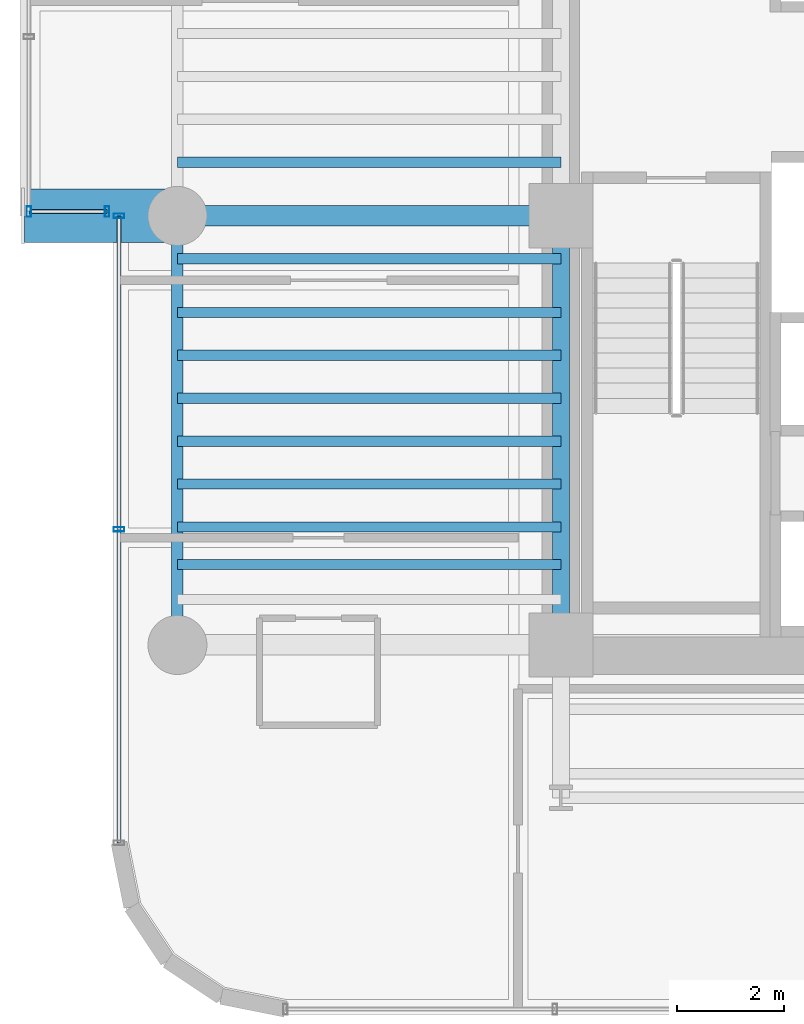
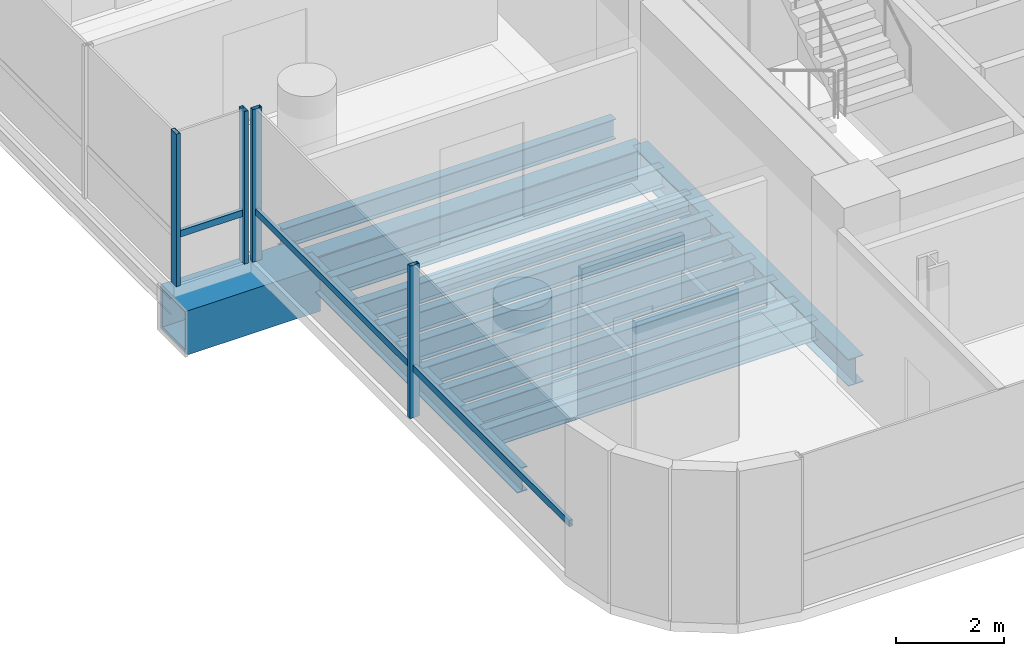
# One storey, part 4 of 35: 13 beams, 6 members, 2 elements without a shape of their own.
"""IFC4 building model written with IfcOpenShell, lengths in metres."""

import ifcopenshell
import ifcopenshell.guid

model = None  # the IFC model being written
_history = None  # IfcOwnerHistory: only IFC2X3 demands one
_inside = {}  # id of a spatial element -> (the spatial element, [elements in it])
_under = {}  # id of a project, library or spatial element -> (it, [spatial elements below it])
_declared = {}  # id of a project -> (the project, [libraries it declares])
_typed = {}  # id of a type object -> (the type object, [elements of that type])
_made_of = {}  # id of a material, layer set ... -> (it, [elements and type objects made of it])


def new_model(schema):
    """Start an empty IFC model of exactly this schema.

    Asked for "IFC4X3", IfcOpenShell would pick the latest addendum, in which some entities
    have other attributes; the version numbers below select the first issue.
    IFC2X3 requires an IfcOwnerHistory on every rooted entity: one is made here for all.
    """
    global model, _history
    if schema == "IFC4X3":
        model = ifcopenshell.file(schema_version=(4, 3, 0, 0))
    else:
        model = ifcopenshell.file(schema=schema)
    _inside.clear()
    _under.clear()
    _declared.clear()
    _typed.clear()
    _made_of.clear()
    _history = None
    if model.schema == "IFC2X3":
        org = make("IfcOrganization", Name="unknown")
        user = make(
            "IfcPersonAndOrganization",
            ThePerson=make("IfcPerson", FamilyName="unknown"),
            TheOrganization=org,
        )
        app = make(
            "IfcApplication",
            ApplicationDeveloper=org,
            Version="unknown",
            ApplicationFullName="unknown",
            ApplicationIdentifier="unknown",
        )
        _history = make(
            "IfcOwnerHistory",
            OwningUser=user,
            OwningApplication=app,
            ChangeAction="ADDED",
            CreationDate=0,
        )
    return model


def make(cls, **values):
    """One entity of the class cls with the attributes given. An attribute that is None is left unset."""
    return model.create_entity(
        cls, **{name: value for name, value in values.items() if value is not None}
    )


def rooted(cls, **values):
    """An entity with a GlobalId (a new one), such as an element, a storey or a relation."""
    return make(cls, GlobalId=ifcopenshell.guid.new(), OwnerHistory=_history, **values)


def si_unit(unit_type, name, prefix=None):
    """IfcSIUnit, for example si_unit("LENGTHUNIT", "METRE", prefix="MILLI")."""
    return make("IfcSIUnit", UnitType=unit_type, Prefix=prefix, Name=name)


def assignment(units):
    """IfcUnitAssignment: the units of a project."""
    return None if units is None else make("IfcUnitAssignment", Units=units)


def point(xyz):
    """IfcCartesianPoint."""
    return None if xyz is None else make("IfcCartesianPoint", Coordinates=xyz)


def direction(xyz):
    """IfcDirection."""
    return None if xyz is None else make("IfcDirection", DirectionRatios=xyz)


def frame(location, z_axis=None, x_axis=None):
    """IfcAxis2Placement3D, a coordinate frame: its origin and axes. An axis left out is left unset."""
    return make(
        "IfcAxis2Placement3D",
        Location=point(location),
        Axis=direction(z_axis),
        RefDirection=direction(x_axis),
    )


def frame_2d(location, x_axis=None):
    """IfcAxis2Placement2D, a coordinate frame in the plane: its origin and x axis."""
    return make(
        "IfcAxis2Placement2D", Location=point(location), RefDirection=direction(x_axis)
    )


def origin():
    """The frame at (0, 0, 0) with its axes left unset."""
    return frame((0.0, 0.0, 0.0))


def origin_2d():
    """The frame at (0, 0) in the plane with its x axis left unset."""
    return frame_2d((0.0, 0.0))


def place(relative_to, where):
    """IfcLocalPlacement: puts the frame where relative to a parent placement (None: the world)."""
    return make(
        "IfcLocalPlacement", PlacementRelTo=relative_to, RelativePlacement=where
    )


def context(
    kind, dimensions, precision=None, world=None, true_north=None, identifier=None
):
    """IfcGeometricRepresentationContext, for example the 3D "Model" context."""
    return make(
        "IfcGeometricRepresentationContext",
        ContextIdentifier=identifier,
        ContextType=kind,
        CoordinateSpaceDimension=dimensions,
        Precision=precision,
        WorldCoordinateSystem=world,
        TrueNorth=true_north,
    )


def subcontext(parent, identifier, kind, view, scale=None):
    """IfcGeometricRepresentationSubContext, for example "Body" below "Model"."""
    return make(
        "IfcGeometricRepresentationSubContext",
        ContextIdentifier=identifier,
        ContextType=kind,
        ParentContext=parent,
        TargetScale=scale,
        TargetView=view,
    )


def project(units=None, contexts=None):
    """IfcProject with its units and contexts."""
    return rooted(
        "IfcProject",
        Name="project",
        RepresentationContexts=contexts,
        UnitsInContext=assignment(units),
    )


def spatial(cls, under=None, at=None, **own):
    """A site, building, storey or space (cls), placed at a placement, below another one or the project."""
    s = rooted(cls, ObjectPlacement=at, **own)
    if under is not None:
        _under.setdefault(under.id(), (under, []))[1].append(s)
    return s


def profile(cls, at=None, kind="AREA", **sizes):
    """A parametric profile (cls). Its sizes go by their IFC names, for example OverallWidth=200.0."""
    return make(cls, ProfileType=kind, Position=at, **sizes)


def hollow_rectangle(**sizes):
    """IfcRectangleHollowProfileDef."""
    return profile("IfcRectangleHollowProfileDef", **sizes)


def i_section(**sizes):
    """IfcIShapeProfileDef."""
    return profile("IfcIShapeProfileDef", **sizes)


def extrude(swept, where, along, depth):
    """IfcExtrudedAreaSolid: the profile swept, set in the frame where, extruded along a direction by depth."""
    return make(
        "IfcExtrudedAreaSolid",
        SweptArea=swept,
        Position=where,
        ExtrudedDirection=direction(along),
        Depth=depth,
    )


def shape(context_of_items, identifier, shape_type, items):
    """IfcShapeRepresentation: the items that make up one representation, for example the "Body"."""
    return make(
        "IfcShapeRepresentation",
        ContextOfItems=context_of_items,
        RepresentationIdentifier=identifier,
        RepresentationType=shape_type,
        Items=items,
    )


def source(mapping_origin, context_of_items, identifier, shape_type, items):
    """IfcRepresentationMap: a shape defined once, which mapped items show again and again."""
    return make(
        "IfcRepresentationMap",
        MappingOrigin=mapping_origin,
        MappedRepresentation=shape(context_of_items, identifier, shape_type, items),
    )


def transform(
    local_origin,
    x_axis=None,
    y_axis=None,
    z_axis=None,
    scale=None,
    scale2=None,
    scale3=None,
    uniform=True,
):
    """IfcCartesianTransformationOperator3D, or its non-uniform kind. x_axis, y_axis, z_axis: its Axis1, 2, 3."""
    if uniform:
        return make(
            "IfcCartesianTransformationOperator3D",
            Axis1=direction(x_axis),
            Axis2=direction(y_axis),
            LocalOrigin=point(local_origin),
            Scale=scale,
            Axis3=direction(z_axis),
        )
    return make(
        "IfcCartesianTransformationOperator3DnonUniform",
        Axis1=direction(x_axis),
        Axis2=direction(y_axis),
        LocalOrigin=point(local_origin),
        Scale=scale,
        Axis3=direction(z_axis),
        Scale2=scale2,
        Scale3=scale3,
    )


def mapped(mapping_source, mapping_target):
    """IfcMappedItem: shows the shape of a source again, moved by a transform."""
    return make(
        "IfcMappedItem", MappingSource=mapping_source, MappingTarget=mapping_target
    )


def material(Name=None, Category=None):
    """IfcMaterial."""
    return make("IfcMaterial", Name=Name, Category=Category)


def material_profile(
    of_material, cross_section, Name=None, Category=None, Priority=None
):
    """IfcMaterialProfile: a cross section and its material."""
    return make(
        "IfcMaterialProfile",
        Name=Name,
        Material=of_material,
        Profile=cross_section,
        Priority=Priority,
        Category=Category,
    )


def profile_set(profiles, Name=None, composite=None):
    """IfcMaterialProfileSet."""
    return make(
        "IfcMaterialProfileSet",
        Name=Name,
        MaterialProfiles=profiles,
        CompositeProfile=composite,
    )


def made_of(thing, what):
    """Note that an element or type object is made of a material, layer set ...; save() writes the relation."""
    if what is not None:
        _made_of.setdefault(what.id(), (what, []))[1].append(thing)
    return thing


def type_object(cls, material=None, **own):
    """A type object (cls), such as IfcWallType, which elements share."""
    return made_of(rooted(cls, **own), material)


def element(
    cls,
    number,
    at=None,
    inside=None,
    cuts=None,
    type_object=None,
    material=None,
    context=None,
    identifier="Body",
    shape_type=None,
    held_by="IfcProductDefinitionShape",
    body=None,
    shapes=None,
    **own,
):
    """One element of the class cls, such as IfcWall. Its Tag is "e" and its number.

    at: its placement. inside: the storey or other place that contains it. cuts: it is an
    opening in that element (IfcRelVoidsElement). A single representation is given by context,
    identifier, shape_type and body (its items); several are given by shapes. held_by: the class
    of the entity that holds the representations. save() writes the other relations.
    """
    e = rooted(cls, Tag="e%d" % number, ObjectPlacement=at, **own)
    if body is not None:
        shapes = [shape(context, identifier, shape_type, body)]
    if shapes is not None:
        e.Representation = make(held_by, Representations=shapes)
    if inside is not None:
        _inside.setdefault(inside.id(), (inside, []))[1].append(e)
    if cuts is not None:
        rooted(
            "IfcRelVoidsElement", RelatingBuildingElement=cuts, RelatedOpeningElement=e
        )
    if type_object is not None:
        _typed.setdefault(type_object.id(), (type_object, []))[1].append(e)
    return made_of(e, material)


def aggregate(whole, parts):
    """IfcRelAggregates: a whole, such as a stair, and the parts it consists of."""
    return rooted("IfcRelAggregates", RelatingObject=whole, RelatedObjects=parts)


def save(model, path):
    """Write the relations noted so far, then the file.

    IfcRelAggregates (storeys below a building ...), IfcRelContainedInSpatialStructure (elements
    in a storey), IfcRelDefinesByType, IfcRelAssociatesMaterial and IfcRelDeclares: one each for
    every whole, place, type object, material and project.
    """
    for whole, parts in _under.values():
        aggregate(whole, parts)
    for where, things in _inside.values():
        rooted(
            "IfcRelContainedInSpatialStructure",
            RelatedElements=things,
            RelatingStructure=where,
        )
    for kind, things in _typed.values():
        rooted("IfcRelDefinesByType", RelatedObjects=things, RelatingType=kind)
    for what, things in _made_of.values():
        rooted("IfcRelAssociatesMaterial", RelatedObjects=things, RelatingMaterial=what)
    for by, libraries in _declared.values():
        rooted("IfcRelDeclares", RelatingContext=by, RelatedDefinitions=libraries)
    model.write(path)


model = new_model("IFC4")

# Units and contexts
model_context = context("Model", 3, precision=1e-05, world=origin(), true_north=direction((0.0, 1.0)))
body_context = subcontext(model_context, "Body", "Model", "MODEL_VIEW")
ifc_project = project(units=[si_unit("LENGTHUNIT", "METRE"), si_unit("AREAUNIT", "SQUARE_METRE"), si_unit("VOLUMEUNIT", "CUBIC_METRE"), si_unit("PLANEANGLEUNIT", "RADIAN"), si_unit("MASSUNIT", "GRAM", prefix="KILO")], contexts=[model_context])

# Site, building, storey
site_placement = place(None, origin())
site = spatial("IfcSite", under=ifc_project, at=site_placement, CompositionType="ELEMENT")
building_placement = place(site_placement, origin())
building = spatial("IfcBuilding", under=site, at=building_placement, Name="Valdorenza Pilgrim Sanctuary Tower", CompositionType="ELEMENT")
storey_placement = place(building_placement, frame((0.0, 0.0, 113.10009765625)))
storey = spatial("IfcBuildingStorey", under=building, at=storey_placement, Name="L28", CompositionType="ELEMENT", Elevation=113.10009765625)

# Beams
ifc_material_1 = material(Name="Steel ASTM A992 Grade 50", Category="steel")
ifc_material_profile_1 = material_profile(ifc_material_1, i_section(OverallWidth=0.214111328125, OverallDepth=0.549072265625, WebThickness=0.0146484375, FlangeThickness=0.023681640625, at=origin_2d()), Name="W21X93")
ifc_profile_set_1 = profile_set([ifc_material_profile_1], Name="Steel ASTM A992 Grade 50")
beam_type_1 = type_object("IfcBeamType", Name="STR-BM-SPN-W21A", PredefinedType="SPANDREL", material=ifc_profile_set_1)
shared_shape_1 = source(origin(), body_context, "Body", "SweptSolid", [
    extrude(i_section(OverallWidth=0.214111328125, OverallDepth=0.549072265625, WebThickness=0.0146484375, FlangeThickness=0.023681640625, at=origin_2d()), origin(), (0.0, 0.0, 1.0), 8.0),
])
beam_1_placement = place(storey_placement, frame((-29.800048828125, -10.60009765625, -0.5146484375), z_axis=(0.0, 1.0, 0.0), x_axis=(-1.0, 0.0, 0.0)))
element("IfcBeam", 1, at=beam_1_placement, inside=storey, type_object=beam_type_1, Name="L28 Spandrel Beam WA-W-S1M0", PredefinedType="SPANDREL", context=body_context, shape_type="MappedRepresentation", body=[
    mapped(shared_shape_1, transform((0.0, 0.0, 0.0), x_axis=(1.0, 0.0, 0.0), y_axis=(0.0, 1.0, 0.0), z_axis=(0.0, 0.0, 1.0), scale=1.0)),
])
ifc_material_profile_2 = material_profile(ifc_material_1, i_section(OverallWidth=0.323974609375, OverallDepth=0.611083984375, WebThickness=0.0126953125, FlangeThickness=0.01904296875, at=origin_2d()), Name="W24X104")
ifc_profile_set_2 = profile_set([ifc_material_profile_2], Name="Steel ASTM A992 Grade 50")
beam_type_2 = type_object("IfcBeamType", Name="STR-BM-GRD-W24B", PredefinedType="BEAM", material=ifc_profile_set_2)
shared_shape_2 = source(origin(), body_context, "Body", "SweptSolid", [
    extrude(i_section(OverallWidth=0.323974609375, OverallDepth=0.611083984375, WebThickness=0.0126953125, FlangeThickness=0.01904296875, at=origin_2d()), origin(), (0.0, 0.0, 1.0), 8.0),
])
beam_2_placement = place(storey_placement, frame((-22.64990234375, -10.60009765625, -0.545654296875), z_axis=(0.0, 1.0, 0.0), x_axis=(-1.0, 0.0, 0.0)))
element("IfcBeam", 2, at=beam_2_placement, inside=storey, type_object=beam_type_2, Name="L28 Core Tie Girder CA-W-S1M0", PredefinedType="BEAM", context=body_context, shape_type="MappedRepresentation", body=[
    mapped(shared_shape_2, transform((0.0, 0.0, 0.0), x_axis=(1.0, 0.0, 0.0), y_axis=(0.0, 1.0, 0.0), z_axis=(0.0, 0.0, 1.0), scale=1.0)),
])
ifc_material_profile_3 = material_profile(ifc_material_1, i_section(OverallWidth=0.382080078125, OverallDepth=0.779052734375, WebThickness=0.01806640625, FlangeThickness=0.030029296875, at=origin_2d()), Name="W30X191")
ifc_profile_set_3 = profile_set([ifc_material_profile_3], Name="Steel ASTM A992 Grade 50")
beam_type_3 = type_object("IfcBeamType", Name="STR-BM-GRD-W30", PredefinedType="BEAM", material=ifc_profile_set_3)
shared_shape_3 = source(origin(), body_context, "Body", "SweptSolid", [
    extrude(i_section(OverallWidth=0.382080078125, OverallDepth=0.779052734375, WebThickness=0.01806640625, FlangeThickness=0.030029296875, at=origin_2d()), origin(), (0.0, 0.0, 1.0), 7.150146484375),
])
beam_3_placement = place(storey_placement, frame((-29.800048828125, -2.60009765625, -0.629638671875), z_axis=(1.0, 0.0, 0.0), x_axis=(0.0, 1.0, 0.0)))
element("IfcBeam", 3, at=beam_3_placement, inside=storey, type_object=beam_type_3, Name="L28 Floor Girder WA-XW-M0", PredefinedType="BEAM", context=body_context, shape_type="MappedRepresentation", body=[
    mapped(shared_shape_3, transform((0.0, 0.0, 0.0), x_axis=(1.0, 0.0, 0.0), y_axis=(0.0, 1.0, 0.0), z_axis=(0.0, 0.0, 1.0), scale=1.0)),
])
ifc_material_profile_4 = material_profile(ifc_material_1, i_section(OverallWidth=0.19091796875, OverallDepth=0.45703125, WebThickness=0.009033203125, FlangeThickness=0.014404296875, at=origin_2d()), Name="W18X50")
ifc_profile_set_4 = profile_set([ifc_material_profile_4], Name="Steel ASTM A992 Grade 50")
beam_type_4 = type_object("IfcBeamType", Name="STR-BM-JST-W18B", PredefinedType="JOIST", material=ifc_profile_set_4)
shared_shape_4 = source(origin(), body_context, "Body", "SweptSolid", [
    extrude(i_section(OverallWidth=0.19091796875, OverallDepth=0.45703125, WebThickness=0.009033203125, FlangeThickness=0.014404296875, at=origin_2d()), origin(), (0.0, 0.0, 1.0), 7.150146484375),
])
for number, where, z_axis, x_axis, name in (
    (4, (-29.800048828125, -9.10009765625, -0.468505859375), (1.0, 0.0, 0.0), (0.0, 1.0, 0.0), "L28 Composite Floor Joist JST-WA-2"),
    (5, (-29.800048828125, -8.39990234375, -0.468505859375), (1.0, 0.0, 0.0), (0.0, 1.0, 0.0), "L28 Composite Floor Joist JST-WA-3"),
    (6, (-29.800048828125, -7.60009765625, -0.468505859375), (1.0, 0.0, 0.0), (0.0, 1.0, 0.0), "L28 Composite Floor Joist JST-WA-4"),
    (7, (-29.800048828125, -6.800048828125, -0.468505859375), (1.0, 0.0, 0.0), (0.0, 1.0, 0.0), "L28 Composite Floor Joist JST-WA-5"),
    (8, (-29.800048828125, -6.0, -0.468505859375), (1.0, 0.0, 0.0), (0.0, 1.0, 0.0), "L28 Composite Floor Joist JST-WA-6"),
    (9, (-29.800048828125, -5.199951171875, -0.468505859375), (1.0, 0.0, 0.0), (0.0, 1.0, 0.0), "L28 Composite Floor Joist JST-WA-7"),
    (10, (-29.800048828125, -4.39990234375, -0.468505859375), (1.0, 0.0, 0.0), (0.0, 1.0, 0.0), "L28 Composite Floor Joist JST-WA-8"),
    (11, (-29.800048828125, -3.39990234375, -0.468505859375), (1.0, 0.0, 0.0), (0.0, 1.0, 0.0), "L28 Composite Floor Joist JST-WA-9"),
    (12, (-29.800048828125, -1.60009765625, -0.468505859375), (1.0, 0.0, 0.0), (0.0, 1.0, 0.0), "L28 Composite Floor Joist JST-WA-10"),
):
    element("IfcBeam", number, at=place(storey_placement, frame(where, z_axis=z_axis, x_axis=x_axis)), inside=storey, type_object=beam_type_4, Name=name, PredefinedType="JOIST", context=body_context, shape_type="MappedRepresentation", body=[
        mapped(shared_shape_4, transform((0.0, 0.0, 0.0), x_axis=(1.0, 0.0, 0.0), y_axis=(0.0, 1.0, 0.0), z_axis=(0.0, 0.0, 1.0), scale=1.0)),
    ])
ifc_material_2 = material(Name="Steel ASTM A572 Grade 42", Category="steel")
ifc_material_profile_5 = material_profile(ifc_material_2, hollow_rectangle(XDim=1.0, YDim=1.0, WallThickness=0.080078125, at=origin_2d()), Name="BOX 1000x1000x80")
ifc_profile_set_5 = profile_set([ifc_material_profile_5], Name="Steel ASTM A572 Grade 42")
beam_type_5 = type_object("IfcBeamType", Name="STR-BM-PROW-CANT", PredefinedType="BEAM", material=ifc_profile_set_5)
shared_shape_5 = source(origin(), body_context, "Body", "SweptSolid", [
    extrude(hollow_rectangle(XDim=1.0, YDim=1.0, WallThickness=0.080078125, at=origin_2d()), origin(), (0.0, 0.0, 1.0), 2.849853515625),
])
beam_4_placement = place(storey_placement, frame((-29.800048828125, -2.60009765625, -0.739990234375), z_axis=(-1.0, 0.0, 0.0), x_axis=(0.0, -1.0, 0.0)))
element("IfcBeam", 13, at=beam_4_placement, inside=storey, type_object=beam_type_5, Name="L28 Glass Box Cantilever Beam BOX-WA-L28-CT-S", PredefinedType="BEAM", context=body_context, shape_type="MappedRepresentation", body=[
    mapped(shared_shape_5, transform((0.0, 0.0, 0.0), x_axis=(1.0, 0.0, 0.0), y_axis=(0.0, 1.0, 0.0), z_axis=(0.0, 0.0, 1.0), scale=1.0)),
])

# Curtain wall, members
ifc_material_3 = material(Name="Curtain-wall IGU glazing", Category="glass")
curtain_wall_type = type_object("IfcCurtainWallType", Name="CW-SYS-02", PredefinedType="NOTDEFINED", material=ifc_material_3)
curtain_wall_1_placement = place(storey_placement, origin())
curtain_wall_1 = element("IfcCurtainWall", 14, at=curtain_wall_1_placement, inside=storey, type_object=curtain_wall_type, Name="L28 Curtain Wall CW-L28-1-1S1", PredefinedType="NOTDEFINED")
ifc_material_4 = material(Name="Anodised aluminium AW-6060", Category="aluminium")
ifc_material_profile_6 = material_profile(ifc_material_4, hollow_rectangle(XDim=0.0849609375, YDim=0.199951171875, WallThickness=0.0048828125, at=origin_2d()), Name="ALU-M 200x85x5")
ifc_profile_set_6 = profile_set([ifc_material_profile_6], Name="Anodised aluminium AW-6060")
member_type_1 = type_object("IfcMemberType", Name="CW-MUL-02", PredefinedType="MULLION", material=ifc_profile_set_6)
shared_shape_6 = source(origin(), body_context, "Body", "SweptSolid", [
    extrude(hollow_rectangle(XDim=0.0849609375, YDim=0.199951171875, WallThickness=0.0048828125, at=origin_2d()), origin(), (0.0, 0.0, 1.0), 3.4599609375),
])
member_1_placement = place(storey_placement, frame((-30.889892578125, -8.444580078125, 0.0), z_axis=(0.0, 0.0, 1.0), x_axis=(0.0, 1.0, 0.0)))
member_1 = element("IfcMember", 15, at=member_1_placement, type_object=member_type_1, Name="CW-L28-1-1S1 Mullion 2", PredefinedType="MULLION", context=body_context, shape_type="MappedRepresentation", body=[
    mapped(shared_shape_6, transform((0.0, 0.0, 0.0), x_axis=(1.0, 0.0, 0.0), y_axis=(0.0, 1.0, 0.0), z_axis=(0.0, 0.0, 1.0), scale=1.0)),
])
member_2_placement = place(storey_placement, frame((-30.889892578125, -2.60009765625, 0.0), z_axis=(0.0, 0.0, 1.0), x_axis=(0.0, 1.0, 0.0)))
member_2 = element("IfcMember", 16, at=member_2_placement, type_object=member_type_1, Name="CW-L28-1-1S1 Mullion 3", PredefinedType="MULLION", context=body_context, shape_type="MappedRepresentation", body=[
    mapped(shared_shape_6, transform((0.0, 0.0, 0.0), x_axis=(1.0, 0.0, 0.0), y_axis=(0.0, 1.0, 0.0), z_axis=(0.0, 0.0, 1.0), scale=1.0)),
])

curtain_wall_2_placement = place(storey_placement, origin())
curtain_wall_2 = element("IfcCurtainWall", 17, at=curtain_wall_2_placement, inside=storey, type_object=curtain_wall_type, Name="L28 Curtain Wall CW-L28-BOX-WA-L28-S", PredefinedType="NOTDEFINED")
member_3_placement = place(storey_placement, frame((-31.110107421875, -2.52001953125, 0.0), z_axis=(0.0, 0.0, 1.0), x_axis=(-1.0, 0.0, 0.0)))
member_3 = element("IfcMember", 18, at=member_3_placement, type_object=member_type_1, Name="CW-L28-BOX-WA-L28-S Mullion 1", PredefinedType="MULLION", context=body_context, shape_type="MappedRepresentation", body=[
    mapped(shared_shape_6, transform((0.0, 0.0, 0.0), x_axis=(1.0, 0.0, 0.0), y_axis=(0.0, 1.0, 0.0), z_axis=(0.0, 0.0, 1.0), scale=1.0)),
])
member_4_placement = place(storey_placement, frame((-32.570068359375, -2.52001953125, 0.0), z_axis=(0.0, 0.0, 1.0), x_axis=(-1.0, 0.0, 0.0)))
member_4 = element("IfcMember", 19, at=member_4_placement, type_object=member_type_1, Name="CW-L28-BOX-WA-L28-S Mullion 2", PredefinedType="MULLION", context=body_context, shape_type="MappedRepresentation", body=[
    mapped(shared_shape_6, transform((0.0, 0.0, 0.0), x_axis=(1.0, 0.0, 0.0), y_axis=(0.0, 1.0, 0.0), z_axis=(0.0, 0.0, 1.0), scale=1.0)),
])
ifc_material_profile_7 = material_profile(ifc_material_4, hollow_rectangle(XDim=0.074951171875, YDim=0.14990234375, WallThickness=0.00390625, at=origin_2d()), Name="ALU-T 150x75x4")
ifc_profile_set_7 = profile_set([ifc_material_profile_7], Name="Anodised aluminium AW-6060")
member_type_2 = type_object("IfcMemberType", Name="CW-TRN-02", PredefinedType="USERDEFINED", material=ifc_profile_set_7)
shared_shape_7 = source(origin(), body_context, "Body", "SweptSolid", [
    extrude(hollow_rectangle(XDim=0.074951171875, YDim=0.14990234375, WallThickness=0.00390625, at=origin_2d()), origin(), (0.0, 0.0, 1.0), 1.4599609375),
])
member_5_placement = place(storey_placement, frame((-31.110107421875, -2.52001953125, 1.119873046875), z_axis=(-1.0, 0.0, 0.0), x_axis=(0.0, -1.0, 0.0)))
member_5 = element("IfcMember", 20, at=member_5_placement, type_object=member_type_2, Name="CW-L28-BOX-WA-L28-S Transom 1", ObjectType="TRANSOM", PredefinedType="USERDEFINED", context=body_context, shape_type="MappedRepresentation", body=[
    mapped(shared_shape_7, transform((0.0, 0.0, 0.0), x_axis=(1.0, 0.0, 0.0), y_axis=(0.0, 1.0, 0.0), z_axis=(0.0, 0.0, 1.0), scale=1.0)),
])
aggregate(curtain_wall_2, [member_3, member_4, member_5])

# Member
shared_shape_8 = source(origin(), body_context, "Body", "SweptSolid", [
    extrude(hollow_rectangle(XDim=0.074951171875, YDim=0.14990234375, WallThickness=0.00390625, at=origin_2d()), origin(), (0.0, 0.0, 1.0), 11.689208984375),
])
member_6_placement = place(storey_placement, frame((-30.889892578125, -14.289306640625, 1.119873046875), z_axis=(0.0, 1.0, 0.0), x_axis=(-1.0, 0.0, 0.0)))
member_6 = element("IfcMember", 21, at=member_6_placement, type_object=member_type_2, Name="CW-L28-1-1S1 Transom 1", ObjectType="TRANSOM", PredefinedType="USERDEFINED", context=body_context, shape_type="MappedRepresentation", body=[
    mapped(shared_shape_8, transform((0.0, 0.0, 0.0), x_axis=(1.0, 0.0, 0.0), y_axis=(0.0, 1.0, 0.0), z_axis=(0.0, 0.0, 1.0), scale=1.0)),
])

aggregate(curtain_wall_1, [member_1, member_2, member_6])

save(model, "model.ifc")
